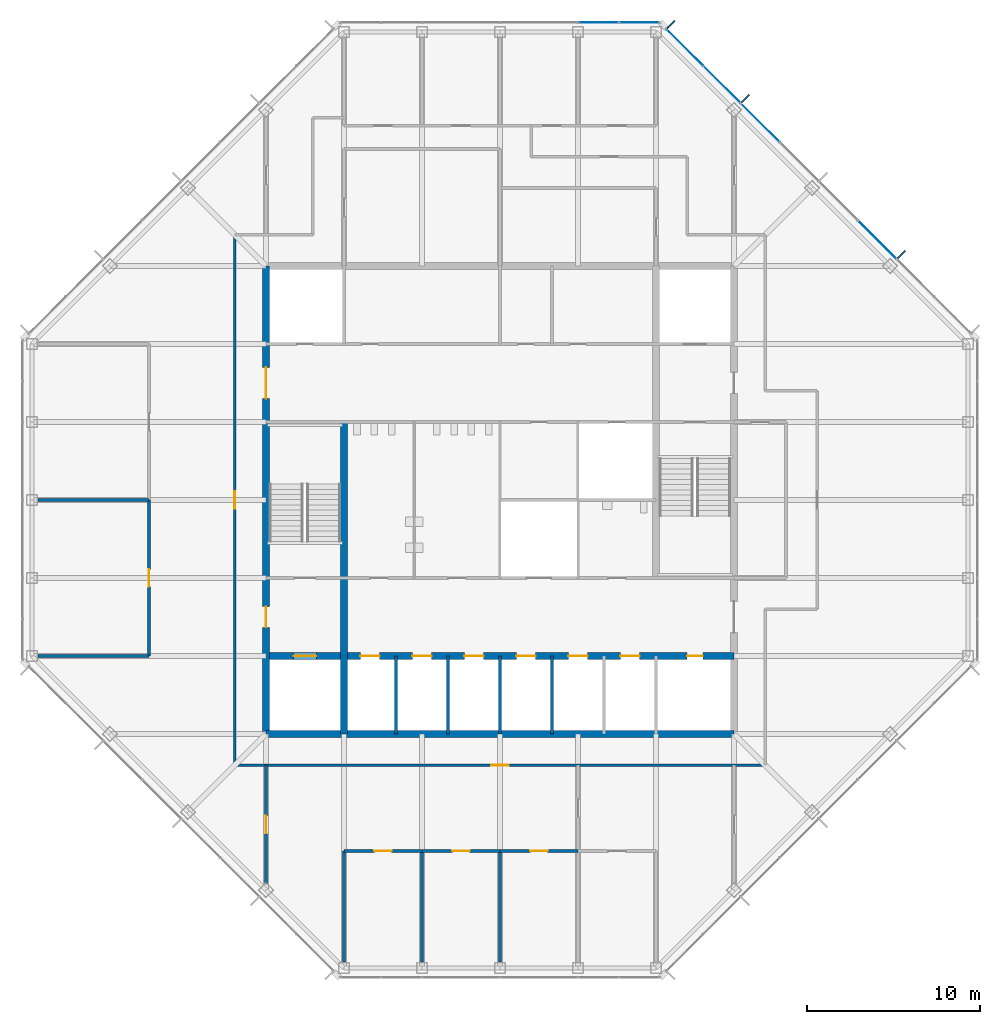
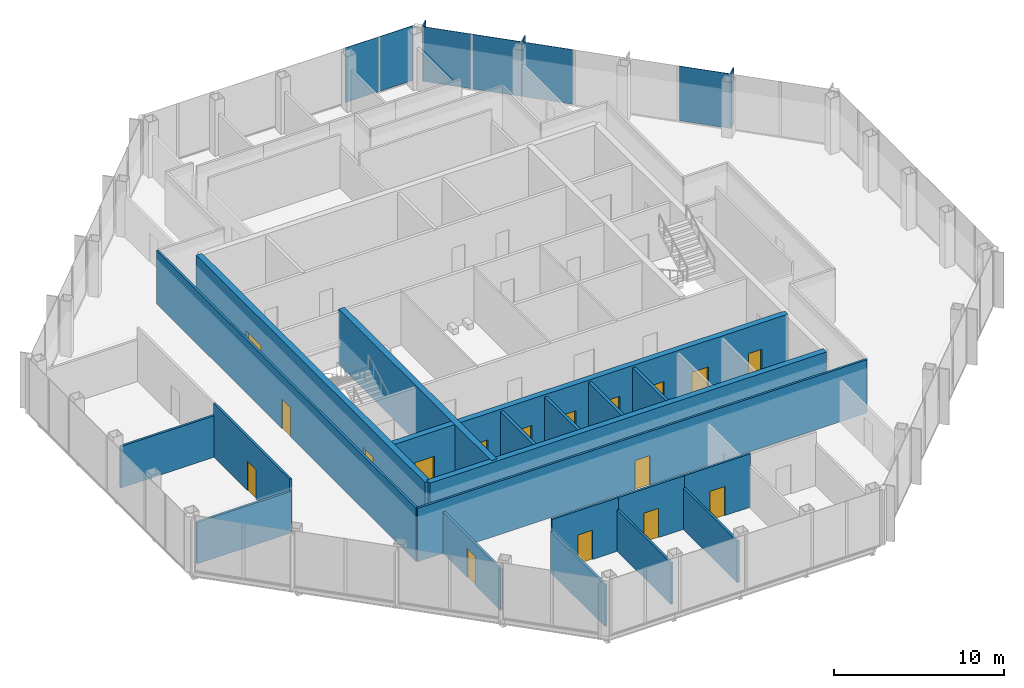
# One storey, part 9 of 14: 20 walls, 17 doors, 9 plates, 17 openings, 2 elements without a shape of their own.
"""IFC4 building model written with IfcOpenShell, lengths in metres."""

from ifc_helpers import new_model, si_unit, direction, frame, frame_2d, origin, origin_2d, place, context, subcontext, project, spatial, rectangle, extrude, material, layer, layer_set, type_object, element, fill, aggregate, save


model = new_model("IFC4")

# Units and contexts
model_context = context("Model", 3, precision=1e-05, world=origin(), true_north=direction((0.0, 1.0)))
body_context = subcontext(model_context, "Body", "Model", "MODEL_VIEW")
ifc_project = project(units=[si_unit("LENGTHUNIT", "METRE"), si_unit("AREAUNIT", "SQUARE_METRE"), si_unit("VOLUMEUNIT", "CUBIC_METRE"), si_unit("PLANEANGLEUNIT", "RADIAN"), si_unit("MASSUNIT", "GRAM", prefix="KILO")], contexts=[model_context])

# Site, building, storey
site_placement = place(None, origin())
site = spatial("IfcSite", under=ifc_project, at=site_placement, CompositionType="ELEMENT")
building_placement = place(site_placement, origin())
building = spatial("IfcBuilding", under=site, at=building_placement, Name="Corais Broadcast Tower", CompositionType="ELEMENT")
storey_placement = place(building_placement, frame((0.0, 0.0, 254.60009765625)))
storey = spatial("IfcBuildingStorey", under=building, at=storey_placement, Name="L59", CompositionType="ELEMENT", Elevation=254.60009765625)

# Curtain wall, plate
ifc_material_1 = material(Name="Aluminium and glass", Category="aluminium")
curtain_wall_type = type_object("IfcCurtainWallType", Name="Unitised fritted curtain wall CW3", PredefinedType="NOTDEFINED", material=ifc_material_1)
curtain_wall_1_placement = place(storey_placement, origin())
curtain_wall_1 = element("IfcCurtainWall", 1, at=curtain_wall_1_placement, inside=storey, type_object=curtain_wall_type, Name="CW3 curtain wall L59 4", PredefinedType="NOTDEFINED")
ifc_material_2 = material(Name="Ceramic-fritted laminated glass", Category="glass")
ifc_layer_1 = layer(ifc_material_2, 0.02587890625)
ifc_layer_set_1 = layer_set([ifc_layer_1], Name="Ceramic-fritted laminated glass")
plate_type_1 = type_object("IfcPlateType", Name="Fritted glass panel CW3", PredefinedType="CURTAIN_PANEL", material=ifc_layer_set_1)
plate_1_placement = place(storey_placement, frame((32.681884765625, 54.550048828125, 0.06494140625), z_axis=(0.0, 0.0, 1.0), x_axis=(1.0, 0.0, 0.0)))
plate_1 = element("IfcPlate", 2, at=plate_1_placement, type_object=plate_type_1, Name="CW3 panel 5", PredefinedType="CURTAIN_PANEL", context=body_context, shape_type="SweptSolid", body=[
    extrude(rectangle(XDim=2.298828125, YDim=0.02587890625, at=origin_2d()), origin(), (0.0, 0.0, 1.0), 3.93505859375),
])

# Curtain wall, plates
curtain_wall_2_placement = place(storey_placement, origin())
curtain_wall_2 = element("IfcCurtainWall", 3, at=curtain_wall_2_placement, inside=storey, type_object=curtain_wall_type, Name="CW3 curtain wall L59 5", PredefinedType="NOTDEFINED")
plate_2_placement = place(storey_placement, frame((37.669677734375, 53.108154296875, 0.06494140625), z_axis=(0.0, 0.0, 1.0), x_axis=(0.707106781187, -0.707106781187, 0.0)))
plate_2 = element("IfcPlate", 4, at=plate_2_placement, type_object=plate_type_1, Name="CW3 panel 1", PredefinedType="CURTAIN_PANEL", context=body_context, shape_type="SweptSolid", body=[
    extrude(rectangle(XDim=2.9482421875, YDim=0.02587890625, at=origin_2d()), origin(), (0.0, 0.0, 1.0), 3.93505859375),
])
plate_3_placement = place(storey_placement, frame((42.013916015625, 48.763916015625, 0.06494140625), z_axis=(0.0, 0.0, 1.0), x_axis=(0.707106781187, -0.707106781187, 0.0)))
plate_3 = element("IfcPlate", 5, at=plate_3_placement, type_object=plate_type_1, Name="CW3 panel 3", PredefinedType="CURTAIN_PANEL", context=body_context, shape_type="SweptSolid", body=[
    extrude(rectangle(XDim=3.116943359375, YDim=0.02587890625, at=origin_2d()), origin(), (0.0, 0.0, 1.0), 3.93505859375),
])

# Plate
ifc_material_3 = material(Name="Clear laminated glass", Category="glass")
ifc_layer_2 = layer(ifc_material_3, 0.030029296875)
ifc_layer_set_2 = layer_set([ifc_layer_2], Name="Clear laminated glass")
plate_type_2 = type_object("IfcPlateType", Name="Operable glass panel CW3", PredefinedType="CURTAIN_PANEL", material=ifc_layer_set_2)
plate_4_placement = place(storey_placement, frame((35.029541015625, 54.550048828125, 0.06494140625), z_axis=(0.0, 0.0, 1.0), x_axis=(1.0, 0.0, 0.0)))
plate_4 = element("IfcPlate", 6, at=plate_4_placement, type_object=plate_type_2, Name="CW3 operable panel 6", PredefinedType="CURTAIN_PANEL", context=body_context, shape_type="SweptSolid", body=[
    extrude(rectangle(XDim=2.266357421875, YDim=0.030029296875, at=origin_2d()), origin(), (0.0, 0.0, 1.0), 3.93505859375),
])

aggregate(curtain_wall_1, [plate_1, plate_4])

plate_5_placement = place(storey_placement, frame((39.81201171875, 50.9658203125, 0.06494140625), z_axis=(0.0, 0.0, 1.0), x_axis=(0.707106781187, -0.707106781187, 0.0)))
plate_5 = element("IfcPlate", 7, at=plate_5_placement, type_object=plate_type_2, Name="CW3 operable panel 2", PredefinedType="CURTAIN_PANEL", context=body_context, shape_type="SweptSolid", body=[
    extrude(rectangle(XDim=2.98095703125, YDim=0.030029296875, at=origin_2d()), origin(), (0.0, 0.0, 1.0), 3.93505859375),
])

plate_6_placement = place(storey_placement, frame((48.763916015625, 42.013916015625, 0.06494140625), z_axis=(0.0, 0.0, 1.0), x_axis=(0.707106781187, -0.707106781187, 0.0)))
plate_6 = element("IfcPlate", 8, at=plate_6_placement, type_object=plate_type_2, Name="CW3 operable panel 6", PredefinedType="CURTAIN_PANEL", context=body_context, shape_type="SweptSolid", body=[
    extrude(rectangle(XDim=3.116943359375, YDim=0.030029296875, at=origin_2d()), origin(), (0.0, 0.0, 1.0), 3.93505859375),
])

aggregate(curtain_wall_2, [plate_2, plate_5, plate_3, plate_6])

# Plates
ifc_material_4 = material(Name="Granite stone cladding", Category="masonry")
ifc_layer_3 = layer(ifc_material_4, 0.080078125)
ifc_layer_set_3 = layer_set([ifc_layer_3], Name="Granite stone cladding")
plate_type_3 = type_object("IfcPlateType", Name="Stone screen fin 80x600", PredefinedType="USERDEFINED", material=ifc_layer_set_3)
for number, where, z_axis, x_axis, name in (
    (9, (36.870849609375, 54.43994140625, 0.0), (0.0, 0.0, 1.0), (0.707106781187, -0.707106781187, 0.0), "SF1 stone screen fin L59"),
    (10, (41.155517578125, 50.155517578125, 0.0), (0.0, 0.0, 1.0), (0.707106781187, -0.707106781187, 0.0), "SF1 stone screen fin L59"),
    (11, (50.155517578125, 41.155517578125, 0.0), (0.0, 0.0, 1.0), (0.707106781187, -0.707106781187, 0.0), "SF1 stone screen fin L59"),
):
    element("IfcPlate", number, at=place(storey_placement, frame(where, z_axis=z_axis, x_axis=x_axis)), inside=storey, type_object=plate_type_3, Name=name, ObjectType="STONE SCREEN FIN", PredefinedType="USERDEFINED", context=body_context, shape_type="SweptSolid", body=[
        extrude(rectangle(XDim=0.080078125, YDim=0.60009765625, at=origin_2d()), origin(), (0.0, 0.0, 1.0), 4.0),
    ])

# Wall
ifc_material_5 = material(Name="Concrete C50/60", Category="concrete")
ifc_layer_4 = layer(ifc_material_5, 0.39990234375)
ifc_layer_set_4 = layer_set([ifc_layer_4], Name="Concrete C50/60")
wall_type_1 = type_object("IfcWallType", Name="Core wall 400", PredefinedType="SHEAR", material=ifc_layer_set_4)
wall_1_placement = place(storey_placement, frame((13.5, 13.5, 0.0), z_axis=(0.0, 0.0, 1.0), x_axis=(1.0, 0.0, 0.0)))
element("IfcWall", 12, at=wall_1_placement, inside=storey, type_object=wall_type_1, Name="CR400 core wall S L59", PredefinedType="SHEAR", context=body_context, shape_type="SweptSolid", body=[
    extrude(rectangle(XDim=27.0, YDim=0.39990234375, at=frame_2d((13.5, 0.0))), origin(), (0.0, 0.0, 1.0), 4.0),
])

# Wall, openings, doors
wall_2_placement = place(storey_placement, frame((13.5, 40.5, 0.0), z_axis=(0.0, 0.0, 1.0), x_axis=(0.0, -1.0, 0.0)))
wall_2 = element("IfcWall", 13, at=wall_2_placement, inside=storey, type_object=wall_type_1, Name="CR400 core wall W L59", PredefinedType="SHEAR", context=body_context, shape_type="SweptSolid", body=[
    extrude(rectangle(XDim=27.0, YDim=0.39990234375, at=frame_2d((13.5, 0.0))), origin(), (0.0, 0.0, 1.0), 4.0),
])
opening_1_placement = place(wall_2_placement, frame((19.64990234375, 0.0, 0.0)))
opening_1 = element("IfcOpeningElement", 14, at=opening_1_placement, cuts=wall_2, Name="Opening FD1", PredefinedType="OPENING", context=body_context, shape_type="SweptSolid", body=[
    extrude(rectangle(XDim=1.199951171875, YDim=2.10009765625, at=frame_2d((0.60009765625, 1.050048828125))), frame((0.0, 0.2099609375, 0.0), z_axis=(0.0, -1.0, 0.0), x_axis=(1.0, 0.0, 0.0)), (0.0, 0.0, 1.0), 0.419921875),
])
opening_2_placement = place(wall_2_placement, frame((5.85009765625, 0.0, 0.0)))
opening_2 = element("IfcOpeningElement", 15, at=opening_2_placement, cuts=wall_2, Name="Opening FD2", PredefinedType="OPENING", context=body_context, shape_type="SweptSolid", body=[
    extrude(rectangle(XDim=1.800048828125, YDim=2.10009765625, at=frame_2d((0.89990234375, 1.050048828125))), frame((0.0, 0.2099609375, 0.0), z_axis=(0.0, -1.0, 0.0), x_axis=(1.0, 0.0, 0.0)), (0.0, 0.0, 1.0), 0.419921875),
])
ifc_material_6 = material(Name="Steel fire door", Category="steel")
door_type_1 = type_object("IfcDoorType", Name="Fire door 1200x2100", OperationType="SINGLE_SWING_LEFT", PredefinedType="DOOR", material=ifc_material_6)
door_1_placement = place(opening_1_placement, origin())
door_1 = element("IfcDoor", 16, at=door_1_placement, inside=storey, type_object=door_type_1, Name="FD1 fire lobby A door L59", OperationType="SINGLE_SWING_RIGHT", OverallHeight=2.10009765625, OverallWidth=1.199951171875, PredefinedType="DOOR", context=body_context, shape_type="SweptSolid", body=[
    extrude(rectangle(XDim=1.199951171875, YDim=2.10009765625, at=frame_2d((0.60009765625, 1.050048828125))), frame((0.0, 0.02490234375, 0.0), z_axis=(0.0, -1.0, 0.0), x_axis=(1.0, 0.0, 0.0)), (0.0, 0.0, 1.0), 0.050048828125),
])
fill(opening_1, door_1)
ifc_material_7 = material(Name="Steel fire door", Category="steel")
door_type_2 = type_object("IfcDoorType", Name="Fire door pair 1800x2100", OperationType="DOUBLE_DOOR_SINGLE_SWING", PredefinedType="DOOR", material=ifc_material_7)
door_2_placement = place(opening_2_placement, origin())
door_2 = element("IfcDoor", 17, at=door_2_placement, inside=storey, type_object=door_type_2, Name="FD2 lift lobby door L59", OperationType="SINGLE_SWING_LEFT", OverallHeight=2.10009765625, OverallWidth=1.800048828125, PredefinedType="DOOR", context=body_context, shape_type="SweptSolid", body=[
    extrude(rectangle(XDim=1.800048828125, YDim=2.10009765625, at=frame_2d((0.89990234375, 1.050048828125))), frame((0.0, 0.02490234375, 0.0), z_axis=(0.0, -1.0, 0.0), x_axis=(1.0, 0.0, 0.0)), (0.0, 0.0, 1.0), 0.050048828125),
])
fill(opening_2, door_2)

# Wall
wall_3_placement = place(storey_placement, frame((18.0, 13.5, 0.0), z_axis=(0.0, 0.0, 1.0), x_axis=(0.0, 1.0, 0.0)))
element("IfcWall", 18, at=wall_3_placement, inside=storey, type_object=wall_type_1, Name="CR400 core wall X18A L59", PredefinedType="SHEAR", context=body_context, shape_type="SweptSolid", body=[
    extrude(rectangle(XDim=18.0, YDim=0.39990234375, at=frame_2d((9.0, 0.0))), origin(), (0.0, 0.0, 1.0), 4.0),
])

# Wall, openings, doors
wall_4_placement = place(storey_placement, frame((13.5, 18.0, 0.0), z_axis=(0.0, 0.0, 1.0), x_axis=(1.0, 0.0, 0.0)))
wall_4 = element("IfcWall", 19, at=wall_4_placement, inside=storey, type_object=wall_type_1, Name="CR400 core wall Y18 L59", PredefinedType="SHEAR", context=body_context, shape_type="SweptSolid", body=[
    extrude(rectangle(XDim=27.0, YDim=0.39990234375, at=frame_2d((13.5, 0.0))), origin(), (0.0, 0.0, 1.0), 4.0),
])
opening_3_placement = place(wall_4_placement, frame((24.300048828125, 0.0, 0.0)))
opening_3 = element("IfcOpeningElement", 20, at=opening_3_placement, cuts=wall_4, Name="Opening RD1", PredefinedType="OPENING", context=body_context, shape_type="SweptSolid", body=[
    extrude(rectangle(XDim=0.89990234375, YDim=2.10009765625, at=frame_2d((0.449951171875, 1.050048828125))), frame((0.0, 0.2099609375, 0.0), z_axis=(0.0, -1.0, 0.0), x_axis=(1.0, 0.0, 0.0)), (0.0, 0.0, 1.0), 0.419921875),
])
opening_4_placement = place(wall_4_placement, frame((5.449951171875, 0.0, 0.0)))
opening_4 = element("IfcOpeningElement", 21, at=opening_4_placement, cuts=wall_4, Name="Opening LD1", PredefinedType="OPENING", context=body_context, shape_type="SweptSolid", body=[
    extrude(rectangle(XDim=1.10009765625, YDim=2.10009765625, at=frame_2d((0.550048828125, 1.050048828125))), frame((0.0, 0.2099609375, 0.0), z_axis=(0.0, -1.0, 0.0), x_axis=(1.0, 0.0, 0.0)), (0.0, 0.0, 1.0), 0.419921875),
])
opening_5_placement = place(wall_4_placement, frame((8.449951171875, 0.0, 0.0)))
opening_5 = element("IfcOpeningElement", 22, at=opening_5_placement, cuts=wall_4, Name="Opening LD1", PredefinedType="OPENING", context=body_context, shape_type="SweptSolid", body=[
    extrude(rectangle(XDim=1.10009765625, YDim=2.10009765625, at=frame_2d((0.550048828125, 1.050048828125))), frame((0.0, 0.2099609375, 0.0), z_axis=(0.0, -1.0, 0.0), x_axis=(1.0, 0.0, 0.0)), (0.0, 0.0, 1.0), 0.419921875),
])
opening_6_placement = place(wall_4_placement, frame((11.449951171875, 0.0, 0.0)))
opening_6 = element("IfcOpeningElement", 23, at=opening_6_placement, cuts=wall_4, Name="Opening LD1", PredefinedType="OPENING", context=body_context, shape_type="SweptSolid", body=[
    extrude(rectangle(XDim=1.10009765625, YDim=2.10009765625, at=frame_2d((0.550048828125, 1.050048828125))), frame((0.0, 0.2099609375, 0.0), z_axis=(0.0, -1.0, 0.0), x_axis=(1.0, 0.0, 0.0)), (0.0, 0.0, 1.0), 0.419921875),
])
opening_7_placement = place(wall_4_placement, frame((14.449951171875, 0.0, 0.0)))
opening_7 = element("IfcOpeningElement", 24, at=opening_7_placement, cuts=wall_4, Name="Opening LD1", PredefinedType="OPENING", context=body_context, shape_type="SweptSolid", body=[
    extrude(rectangle(XDim=1.10009765625, YDim=2.10009765625, at=frame_2d((0.550048828125, 1.050048828125))), frame((0.0, 0.2099609375, 0.0), z_axis=(0.0, -1.0, 0.0), x_axis=(1.0, 0.0, 0.0)), (0.0, 0.0, 1.0), 0.419921875),
])
opening_8_placement = place(wall_4_placement, frame((17.449951171875, 0.0, 0.0)))
opening_8 = element("IfcOpeningElement", 25, at=opening_8_placement, cuts=wall_4, Name="Opening LD1", PredefinedType="OPENING", context=body_context, shape_type="SweptSolid", body=[
    extrude(rectangle(XDim=1.10009765625, YDim=2.10009765625, at=frame_2d((0.550048828125, 1.050048828125))), frame((0.0, 0.2099609375, 0.0), z_axis=(0.0, -1.0, 0.0), x_axis=(1.0, 0.0, 0.0)), (0.0, 0.0, 1.0), 0.419921875),
])
opening_9_placement = place(wall_4_placement, frame((20.449951171875, 0.0, 0.0)))
opening_9 = element("IfcOpeningElement", 26, at=opening_9_placement, cuts=wall_4, Name="Opening LD1", PredefinedType="OPENING", context=body_context, shape_type="SweptSolid", body=[
    extrude(rectangle(XDim=1.10009765625, YDim=2.10009765625, at=frame_2d((0.550048828125, 1.050048828125))), frame((0.0, 0.2099609375, 0.0), z_axis=(0.0, -1.0, 0.0), x_axis=(1.0, 0.0, 0.0)), (0.0, 0.0, 1.0), 0.419921875),
])
opening_10_placement = place(wall_4_placement, frame((1.60009765625, 0.0, 0.0)))
opening_10 = element("IfcOpeningElement", 27, at=opening_10_placement, cuts=wall_4, Name="Opening LD2", PredefinedType="OPENING", context=body_context, shape_type="SweptSolid", body=[
    extrude(rectangle(XDim=1.300048828125, YDim=2.199951171875, at=frame_2d((0.64990234375, 1.10009765625))), frame((0.0, 0.2099609375, 0.0), z_axis=(0.0, -1.0, 0.0), x_axis=(1.0, 0.0, 0.0)), (0.0, 0.0, 1.0), 0.419921875),
])
ifc_material_8 = material(Name="Stainless steel lift door", Category="steel")
door_type_3 = type_object("IfcDoorType", Name="Lift landing door 1100x2100", OperationType="SLIDING_TO_LEFT", PredefinedType="DOOR", material=ifc_material_8)
door_3_placement = place(opening_4_placement, origin())
door_3 = element("IfcDoor", 28, at=door_3_placement, inside=storey, type_object=door_type_3, Name="LD1 PH1 landing door L59", OperationType="SLIDING_TO_LEFT", OverallHeight=2.10009765625, OverallWidth=1.10009765625, PredefinedType="DOOR", context=body_context, shape_type="SweptSolid", body=[
    extrude(rectangle(XDim=1.10009765625, YDim=2.10009765625, at=frame_2d((0.550048828125, 1.050048828125))), frame((0.0, 0.02490234375, 0.0), z_axis=(0.0, -1.0, 0.0), x_axis=(1.0, 0.0, 0.0)), (0.0, 0.0, 1.0), 0.050048828125),
])
fill(opening_4, door_3)
door_4_placement = place(opening_5_placement, origin())
door_4 = element("IfcDoor", 29, at=door_4_placement, inside=storey, type_object=door_type_3, Name="LD1 PH2 landing door L59", OperationType="SLIDING_TO_LEFT", OverallHeight=2.10009765625, OverallWidth=1.10009765625, PredefinedType="DOOR", context=body_context, shape_type="SweptSolid", body=[
    extrude(rectangle(XDim=1.10009765625, YDim=2.10009765625, at=frame_2d((0.550048828125, 1.050048828125))), frame((0.0, 0.02490234375, 0.0), z_axis=(0.0, -1.0, 0.0), x_axis=(1.0, 0.0, 0.0)), (0.0, 0.0, 1.0), 0.050048828125),
])
fill(opening_5, door_4)
door_5_placement = place(opening_6_placement, origin())
door_5 = element("IfcDoor", 30, at=door_5_placement, inside=storey, type_object=door_type_3, Name="LD1 PH3 landing door L59", OperationType="SLIDING_TO_LEFT", OverallHeight=2.10009765625, OverallWidth=1.10009765625, PredefinedType="DOOR", context=body_context, shape_type="SweptSolid", body=[
    extrude(rectangle(XDim=1.10009765625, YDim=2.10009765625, at=frame_2d((0.550048828125, 1.050048828125))), frame((0.0, 0.02490234375, 0.0), z_axis=(0.0, -1.0, 0.0), x_axis=(1.0, 0.0, 0.0)), (0.0, 0.0, 1.0), 0.050048828125),
])
fill(opening_6, door_5)
door_6_placement = place(opening_7_placement, origin())
door_6 = element("IfcDoor", 31, at=door_6_placement, inside=storey, type_object=door_type_3, Name="LD1 PH4 landing door L59", OperationType="SLIDING_TO_LEFT", OverallHeight=2.10009765625, OverallWidth=1.10009765625, PredefinedType="DOOR", context=body_context, shape_type="SweptSolid", body=[
    extrude(rectangle(XDim=1.10009765625, YDim=2.10009765625, at=frame_2d((0.550048828125, 1.050048828125))), frame((0.0, 0.02490234375, 0.0), z_axis=(0.0, -1.0, 0.0), x_axis=(1.0, 0.0, 0.0)), (0.0, 0.0, 1.0), 0.050048828125),
])
fill(opening_7, door_6)
door_7_placement = place(opening_8_placement, origin())
door_7 = element("IfcDoor", 32, at=door_7_placement, inside=storey, type_object=door_type_3, Name="LD1 PH5 landing door L59", OperationType="SLIDING_TO_LEFT", OverallHeight=2.10009765625, OverallWidth=1.10009765625, PredefinedType="DOOR", context=body_context, shape_type="SweptSolid", body=[
    extrude(rectangle(XDim=1.10009765625, YDim=2.10009765625, at=frame_2d((0.550048828125, 1.050048828125))), frame((0.0, 0.02490234375, 0.0), z_axis=(0.0, -1.0, 0.0), x_axis=(1.0, 0.0, 0.0)), (0.0, 0.0, 1.0), 0.050048828125),
])
fill(opening_8, door_7)
door_8_placement = place(opening_9_placement, origin())
door_8 = element("IfcDoor", 33, at=door_8_placement, inside=storey, type_object=door_type_3, Name="LD1 PH6 landing door L59", OperationType="SLIDING_TO_LEFT", OverallHeight=2.10009765625, OverallWidth=1.10009765625, PredefinedType="DOOR", context=body_context, shape_type="SweptSolid", body=[
    extrude(rectangle(XDim=1.10009765625, YDim=2.10009765625, at=frame_2d((0.550048828125, 1.050048828125))), frame((0.0, 0.02490234375, 0.0), z_axis=(0.0, -1.0, 0.0), x_axis=(1.0, 0.0, 0.0)), (0.0, 0.0, 1.0), 0.050048828125),
])
fill(opening_9, door_8)
ifc_material_9 = material(Name="Stainless steel lift door", Category="steel")
door_type_4 = type_object("IfcDoorType", Name="Lift landing door 1300x2200", OperationType="SLIDING_TO_LEFT", PredefinedType="DOOR", material=ifc_material_9)
door_9_placement = place(opening_10_placement, origin())
door_9 = element("IfcDoor", 34, at=door_9_placement, inside=storey, type_object=door_type_4, Name="LD2 FL1 landing door L59", OperationType="SLIDING_TO_LEFT", OverallHeight=2.199951171875, OverallWidth=1.300048828125, PredefinedType="DOOR", context=body_context, shape_type="SweptSolid", body=[
    extrude(rectangle(XDim=1.300048828125, YDim=2.199951171875, at=frame_2d((0.64990234375, 1.10009765625))), frame((0.0, 0.02490234375, 0.0), z_axis=(0.0, -1.0, 0.0), x_axis=(1.0, 0.0, 0.0)), (0.0, 0.0, 1.0), 0.050048828125),
])
fill(opening_10, door_9)
ifc_material_10 = material(Name="Steel fire door", Category="steel")
door_type_5 = type_object("IfcDoorType", Name="Riser door 900x2100", OperationType="SINGLE_SWING_LEFT", PredefinedType="DOOR", material=ifc_material_10)
door_10_placement = place(opening_3_placement, origin())
door_10 = element("IfcDoor", 35, at=door_10_placement, inside=storey, type_object=door_type_5, Name="RD1 riser door L59", OperationType="SINGLE_SWING_RIGHT", OverallHeight=2.10009765625, OverallWidth=0.89990234375, PredefinedType="DOOR", context=body_context, shape_type="SweptSolid", body=[
    extrude(rectangle(XDim=0.89990234375, YDim=2.10009765625, at=frame_2d((0.449951171875, 1.050048828125))), frame((0.0, 0.02490234375, 0.0), z_axis=(0.0, -1.0, 0.0), x_axis=(1.0, 0.0, 0.0)), (0.0, 0.0, 1.0), 0.050048828125),
])
fill(opening_3, door_10)

# Wall, opening, door
ifc_material_11 = material(Name="Gypsum board on steel studs", Category="steel")
ifc_layer_5 = layer(ifc_material_11, 0.14990234375)
ifc_layer_set_5 = layer_set([ifc_layer_5], Name="Gypsum board on steel studs")
wall_type_2 = type_object("IfcWallType", Name="Partition 150", PredefinedType="PARTITIONING", material=ifc_layer_set_5)
wall_5_placement = place(storey_placement, frame((11.699951171875, 11.699951171875, 0.0), z_axis=(0.0, 0.0, 1.0), x_axis=(1.0, 0.0, 0.0)))
wall_5 = element("IfcWall", 36, at=wall_5_placement, inside=storey, type_object=wall_type_2, Name="IW3 corridor wall L59", PredefinedType="PARTITIONING", context=body_context, shape_type="SweptSolid", body=[
    extrude(rectangle(XDim=30.60009765625, YDim=0.14990234375, at=frame_2d((15.300048828125, 0.0))), origin(), (0.0, 0.0, 1.0), 3.83984375),
])
opening_11_placement = place(wall_5_placement, frame((14.800048828125, 0.0, 0.0)))
opening_11 = element("IfcOpeningElement", 37, at=opening_11_placement, cuts=wall_5, Name="Opening D1", PredefinedType="OPENING", context=body_context, shape_type="SweptSolid", body=[
    extrude(rectangle(XDim=1.0, YDim=2.10009765625, at=frame_2d((0.5, 1.050048828125))), frame((0.0, 0.0849609375, 0.0), z_axis=(0.0, -1.0, 0.0), x_axis=(1.0, 0.0, 0.0)), (0.0, 0.0, 1.0), 0.169921875),
])
ifc_material_12 = material(Name="Timber door", Category="wood")
door_type_6 = type_object("IfcDoorType", Name="Single door 1000x2100", OperationType="SINGLE_SWING_LEFT", PredefinedType="DOOR", material=ifc_material_12)
door_11_placement = place(opening_11_placement, origin())
door_11 = element("IfcDoor", 38, at=door_11_placement, inside=storey, type_object=door_type_6, Name="D1 workplace door L59", OperationType="SINGLE_SWING_LEFT", OverallHeight=2.10009765625, OverallWidth=1.0, PredefinedType="DOOR", context=body_context, shape_type="SweptSolid", body=[
    extrude(rectangle(XDim=1.0, YDim=2.10009765625, at=frame_2d((0.5, 1.050048828125))), frame((0.0, 0.02490234375, 0.0), z_axis=(0.0, -1.0, 0.0), x_axis=(1.0, 0.0, 0.0)), (0.0, 0.0, 1.0), 0.050048828125),
])
fill(opening_11, door_11)

wall_6_placement = place(storey_placement, frame((11.699951171875, 42.300048828125, 0.0), z_axis=(0.0, 0.0, 1.0), x_axis=(0.0, -1.0, 0.0)))
wall_6 = element("IfcWall", 39, at=wall_6_placement, inside=storey, type_object=wall_type_2, Name="IW3 corridor wall L59", PredefinedType="PARTITIONING", context=body_context, shape_type="SweptSolid", body=[
    extrude(rectangle(XDim=30.60009765625, YDim=0.14990234375, at=frame_2d((15.300048828125, 0.0))), origin(), (0.0, 0.0, 1.0), 3.83984375),
])
opening_12_placement = place(wall_6_placement, frame((14.800048828125, 0.0, 0.0)))
opening_12 = element("IfcOpeningElement", 40, at=opening_12_placement, cuts=wall_6, Name="Opening D1", PredefinedType="OPENING", context=body_context, shape_type="SweptSolid", body=[
    extrude(rectangle(XDim=1.0, YDim=2.10009765625, at=frame_2d((0.5, 1.050048828125))), frame((0.0, 0.0849609375, 0.0), z_axis=(0.0, -1.0, 0.0), x_axis=(1.0, 0.0, 0.0)), (0.0, 0.0, 1.0), 0.169921875),
])
door_12_placement = place(opening_12_placement, origin())
door_12 = element("IfcDoor", 41, at=door_12_placement, inside=storey, type_object=door_type_6, Name="D1 workplace door L59", OperationType="SINGLE_SWING_LEFT", OverallHeight=2.10009765625, OverallWidth=1.0, PredefinedType="DOOR", context=body_context, shape_type="SweptSolid", body=[
    extrude(rectangle(XDim=1.0, YDim=2.10009765625, at=frame_2d((0.5, 1.050048828125))), frame((0.0, 0.02490234375, 0.0), z_axis=(0.0, -1.0, 0.0), x_axis=(1.0, 0.0, 0.0)), (0.0, 0.0, 1.0), 0.050048828125),
])
fill(opening_12, door_12)

# Wall
wall_7_placement = place(storey_placement, frame((22.5, 0.3349609375, 0.0), z_axis=(0.0, 0.0, 1.0), x_axis=(0.0, 1.0, 0.0)))
element("IfcWall", 42, at=wall_7_placement, inside=storey, type_object=wall_type_2, Name="IW3 partition L59", PredefinedType="PARTITIONING", context=body_context, shape_type="SweptSolid", body=[
    extrude(rectangle(XDim=6.4150390625, YDim=0.14990234375, at=frame_2d((3.20751953125, 0.0))), origin(), (0.0, 0.0, 1.0), 2.989013671875),
])

# Wall, opening, door
wall_8_placement = place(storey_placement, frame((22.5, 6.75, 0.0), z_axis=(0.0, 0.0, 1.0), x_axis=(-1.0, 0.0, 0.0)))
wall_8 = element("IfcWall", 43, at=wall_8_placement, inside=storey, type_object=wall_type_2, Name="IW3 partition L59", PredefinedType="PARTITIONING", context=body_context, shape_type="SweptSolid", body=[
    extrude(rectangle(XDim=4.5, YDim=0.14990234375, at=frame_2d((2.25, 0.0))), origin(), (0.0, 0.0, 1.0), 3.83984375),
])
opening_13_placement = place(wall_8_placement, frame((1.75, 0.0, 0.0)))
opening_13 = element("IfcOpeningElement", 44, at=opening_13_placement, cuts=wall_8, Name="Opening D1", PredefinedType="OPENING", context=body_context, shape_type="SweptSolid", body=[
    extrude(rectangle(XDim=1.0, YDim=2.10009765625, at=frame_2d((0.5, 1.050048828125))), frame((0.0, 0.0849609375, 0.0), z_axis=(0.0, -1.0, 0.0), x_axis=(1.0, 0.0, 0.0)), (0.0, 0.0, 1.0), 0.169921875),
])
door_13_placement = place(opening_13_placement, origin())
door_13 = element("IfcDoor", 45, at=door_13_placement, inside=storey, type_object=door_type_6, Name="D1 Office door", OperationType="SINGLE_SWING_LEFT", OverallHeight=2.10009765625, OverallWidth=1.0, PredefinedType="DOOR", context=body_context, shape_type="SweptSolid", body=[
    extrude(rectangle(XDim=1.0, YDim=2.10009765625, at=frame_2d((0.5, 1.050048828125))), frame((0.0, 0.02490234375, 0.0), z_axis=(0.0, -1.0, 0.0), x_axis=(1.0, 0.0, 0.0)), (0.0, 0.0, 1.0), 0.050048828125),
])
fill(opening_13, door_13)

# Walls
for number, where, z_axis, x_axis, name in (
    (46, (18.0, 6.75, 0.0), (0.0, 0.0, 1.0), (0.0, -1.0, 0.0), "IW3 partition L59"),
    (47, (27.0, 0.3349609375, 0.0), (0.0, 0.0, 1.0), (0.0, 1.0, 0.0), "IW3 partition L59"),
):
    element("IfcWall", number, at=place(storey_placement, frame(where, z_axis=z_axis, x_axis=x_axis)), inside=storey, type_object=wall_type_2, Name=name, PredefinedType="PARTITIONING", context=body_context, shape_type="SweptSolid", body=[
        extrude(rectangle(XDim=6.4150390625, YDim=0.14990234375, at=frame_2d((3.20751953125, 0.0))), origin(), (0.0, 0.0, 1.0), 2.989013671875),
    ])

# Wall, opening, door
wall_9_placement = place(storey_placement, frame((27.0, 6.75, 0.0), z_axis=(0.0, 0.0, 1.0), x_axis=(-1.0, 0.0, 0.0)))
wall_9 = element("IfcWall", 48, at=wall_9_placement, inside=storey, type_object=wall_type_2, Name="IW3 partition L59", PredefinedType="PARTITIONING", context=body_context, shape_type="SweptSolid", body=[
    extrude(rectangle(XDim=4.5, YDim=0.14990234375, at=frame_2d((2.25, 0.0))), origin(), (0.0, 0.0, 1.0), 3.83984375),
])
opening_14_placement = place(wall_9_placement, frame((1.75, 0.0, 0.0)))
opening_14 = element("IfcOpeningElement", 49, at=opening_14_placement, cuts=wall_9, Name="Opening D1", PredefinedType="OPENING", context=body_context, shape_type="SweptSolid", body=[
    extrude(rectangle(XDim=1.0, YDim=2.10009765625, at=frame_2d((0.5, 1.050048828125))), frame((0.0, 0.0849609375, 0.0), z_axis=(0.0, -1.0, 0.0), x_axis=(1.0, 0.0, 0.0)), (0.0, 0.0, 1.0), 0.169921875),
])
door_14_placement = place(opening_14_placement, origin())
door_14 = element("IfcDoor", 50, at=door_14_placement, inside=storey, type_object=door_type_6, Name="D1 Office door", OperationType="SINGLE_SWING_LEFT", OverallHeight=2.10009765625, OverallWidth=1.0, PredefinedType="DOOR", context=body_context, shape_type="SweptSolid", body=[
    extrude(rectangle(XDim=1.0, YDim=2.10009765625, at=frame_2d((0.5, 1.050048828125))), frame((0.0, 0.02490234375, 0.0), z_axis=(0.0, -1.0, 0.0), x_axis=(1.0, 0.0, 0.0)), (0.0, 0.0, 1.0), 0.050048828125),
])
fill(opening_14, door_14)

wall_10_placement = place(storey_placement, frame((31.5, 6.75, 0.0), z_axis=(0.0, 0.0, 1.0), x_axis=(-1.0, 0.0, 0.0)))
wall_10 = element("IfcWall", 51, at=wall_10_placement, inside=storey, type_object=wall_type_2, Name="IW3 partition L59", PredefinedType="PARTITIONING", context=body_context, shape_type="SweptSolid", body=[
    extrude(rectangle(XDim=4.5, YDim=0.14990234375, at=frame_2d((2.25, 0.0))), origin(), (0.0, 0.0, 1.0), 3.83984375),
])
opening_15_placement = place(wall_10_placement, frame((1.75, 0.0, 0.0)))
opening_15 = element("IfcOpeningElement", 52, at=opening_15_placement, cuts=wall_10, Name="Opening D1", PredefinedType="OPENING", context=body_context, shape_type="SweptSolid", body=[
    extrude(rectangle(XDim=1.0, YDim=2.10009765625, at=frame_2d((0.5, 1.050048828125))), frame((0.0, 0.0849609375, 0.0), z_axis=(0.0, -1.0, 0.0), x_axis=(1.0, 0.0, 0.0)), (0.0, 0.0, 1.0), 0.169921875),
])
door_15_placement = place(opening_15_placement, origin())
door_15 = element("IfcDoor", 53, at=door_15_placement, inside=storey, type_object=door_type_6, Name="D1 Office door", OperationType="SINGLE_SWING_LEFT", OverallHeight=2.10009765625, OverallWidth=1.0, PredefinedType="DOOR", context=body_context, shape_type="SweptSolid", body=[
    extrude(rectangle(XDim=1.0, YDim=2.10009765625, at=frame_2d((0.5, 1.050048828125))), frame((0.0, 0.02490234375, 0.0), z_axis=(0.0, -1.0, 0.0), x_axis=(1.0, 0.0, 0.0)), (0.0, 0.0, 1.0), 0.050048828125),
])
fill(opening_15, door_15)

# Wall
wall_11_placement = place(storey_placement, frame((0.3349609375, 18.0, 0.0), z_axis=(0.0, 0.0, 1.0), x_axis=(1.0, 0.0, 0.0)))
element("IfcWall", 54, at=wall_11_placement, inside=storey, type_object=wall_type_2, Name="IW3 partition L59", PredefinedType="PARTITIONING", context=body_context, shape_type="SweptSolid", body=[
    extrude(rectangle(XDim=6.4150390625, YDim=0.14990234375, at=frame_2d((3.20751953125, 0.0))), origin(), (0.0, 0.0, 1.0), 2.989013671875),
])

# Wall, opening, door
wall_12_placement = place(storey_placement, frame((6.75, 18.0, 0.0), z_axis=(0.0, 0.0, 1.0), x_axis=(0.0, 1.0, 0.0)))
wall_12 = element("IfcWall", 55, at=wall_12_placement, inside=storey, type_object=wall_type_2, Name="IW3 partition L59", PredefinedType="PARTITIONING", context=body_context, shape_type="SweptSolid", body=[
    extrude(rectangle(XDim=9.0, YDim=0.14990234375, at=frame_2d((4.5, 0.0))), origin(), (0.0, 0.0, 1.0), 3.83984375),
])
opening_16_placement = place(wall_12_placement, frame((4.0, 0.0, 0.0)))
opening_16 = element("IfcOpeningElement", 56, at=opening_16_placement, cuts=wall_12, Name="Opening D1", PredefinedType="OPENING", context=body_context, shape_type="SweptSolid", body=[
    extrude(rectangle(XDim=1.0, YDim=2.10009765625, at=frame_2d((0.5, 1.050048828125))), frame((0.0, 0.0849609375, 0.0), z_axis=(0.0, -1.0, 0.0), x_axis=(1.0, 0.0, 0.0)), (0.0, 0.0, 1.0), 0.169921875),
])
door_16_placement = place(opening_16_placement, origin())
door_16 = element("IfcDoor", 57, at=door_16_placement, inside=storey, type_object=door_type_6, Name="D1 Engineering workshop door", OperationType="SINGLE_SWING_LEFT", OverallHeight=2.10009765625, OverallWidth=1.0, PredefinedType="DOOR", context=body_context, shape_type="SweptSolid", body=[
    extrude(rectangle(XDim=1.0, YDim=2.10009765625, at=frame_2d((0.5, 1.050048828125))), frame((0.0, 0.02490234375, 0.0), z_axis=(0.0, -1.0, 0.0), x_axis=(1.0, 0.0, 0.0)), (0.0, 0.0, 1.0), 0.050048828125),
])
fill(opening_16, door_16)

# Wall
wall_13_placement = place(storey_placement, frame((6.75, 27.0, 0.0), z_axis=(0.0, 0.0, 1.0), x_axis=(-1.0, 0.0, 0.0)))
element("IfcWall", 58, at=wall_13_placement, inside=storey, type_object=wall_type_2, Name="IW3 partition L59", PredefinedType="PARTITIONING", context=body_context, shape_type="SweptSolid", body=[
    extrude(rectangle(XDim=6.4150390625, YDim=0.14990234375, at=frame_2d((3.20751953125, 0.0))), origin(), (0.0, 0.0, 1.0), 2.989013671875),
])

# Wall, opening, door
wall_14_placement = place(storey_placement, frame((13.5, 4.844970703125, 0.0), z_axis=(0.0, 0.0, 1.0), x_axis=(0.0, 1.0, 0.0)))
wall_14 = element("IfcWall", 59, at=wall_14_placement, inside=storey, type_object=wall_type_2, Name="IW3 partition L59", PredefinedType="PARTITIONING", context=body_context, shape_type="SweptSolid", body=[
    extrude(rectangle(XDim=6.85498046875, YDim=0.14990234375, at=frame_2d((3.427490234375, 0.0))), origin(), (0.0, 0.0, 1.0), 2.989013671875),
])
opening_17_placement = place(wall_14_placement, frame((2.927490234375, 0.0, 0.0)))
opening_17 = element("IfcOpeningElement", 60, at=opening_17_placement, cuts=wall_14, Name="Opening D1", PredefinedType="OPENING", context=body_context, shape_type="SweptSolid", body=[
    extrude(rectangle(XDim=1.0, YDim=2.10009765625, at=frame_2d((0.5, 1.050048828125))), frame((0.0, 0.0849609375, 0.0), z_axis=(0.0, -1.0, 0.0), x_axis=(1.0, 0.0, 0.0)), (0.0, 0.0, 1.0), 0.169921875),
])
door_17_placement = place(opening_17_placement, origin())
door_17 = element("IfcDoor", 61, at=door_17_placement, inside=storey, type_object=door_type_6, Name="D1 team room door L59", OperationType="SINGLE_SWING_LEFT", OverallHeight=2.10009765625, OverallWidth=1.0, PredefinedType="DOOR", context=body_context, shape_type="SweptSolid", body=[
    extrude(rectangle(XDim=1.0, YDim=2.10009765625, at=frame_2d((0.5, 1.050048828125))), frame((0.0, 0.02490234375, 0.0), z_axis=(0.0, -1.0, 0.0), x_axis=(1.0, 0.0, 0.0)), (0.0, 0.0, 1.0), 0.050048828125),
])
fill(opening_17, door_17)

# Walls
ifc_material_13 = material(Name="Concrete blockwork class A, grouted, two-hour", Category="masonry")
ifc_layer_6 = layer(ifc_material_13, 0.199951171875)
ifc_layer_set_6 = layer_set([ifc_layer_6], Name="Concrete blockwork class A, grouted, two-hour")
wall_type_3 = type_object("IfcWallType", Name="Shaft wall 200", PredefinedType="PARTITIONING", material=ifc_layer_set_6)
for number, where, z_axis, x_axis, name in (
    (62, (21.0, 13.5, 0.0), (0.0, 0.0, 1.0), (0.0, 1.0, 0.0), "IW1 shaft wall L59"),
    (63, (24.0, 13.5, 0.0), (0.0, 0.0, 1.0), (0.0, 1.0, 0.0), "IW1 shaft wall L59"),
    (64, (27.0, 13.5, 0.0), (0.0, 0.0, 1.0), (0.0, 1.0, 0.0), "IW1 shaft wall L59"),
    (65, (30.0, 13.5, 0.0), (0.0, 0.0, 1.0), (0.0, 1.0, 0.0), "IW1 shaft wall L59"),
):
    element("IfcWall", number, at=place(storey_placement, frame(where, z_axis=z_axis, x_axis=x_axis)), inside=storey, type_object=wall_type_3, Name=name, PredefinedType="PARTITIONING", context=body_context, shape_type="SweptSolid", body=[
        extrude(rectangle(XDim=4.5, YDim=0.199951171875, at=frame_2d((2.25, 0.0))), origin(), (0.0, 0.0, 1.0), 3.83984375),
    ])

save(model, "model.ifc")
